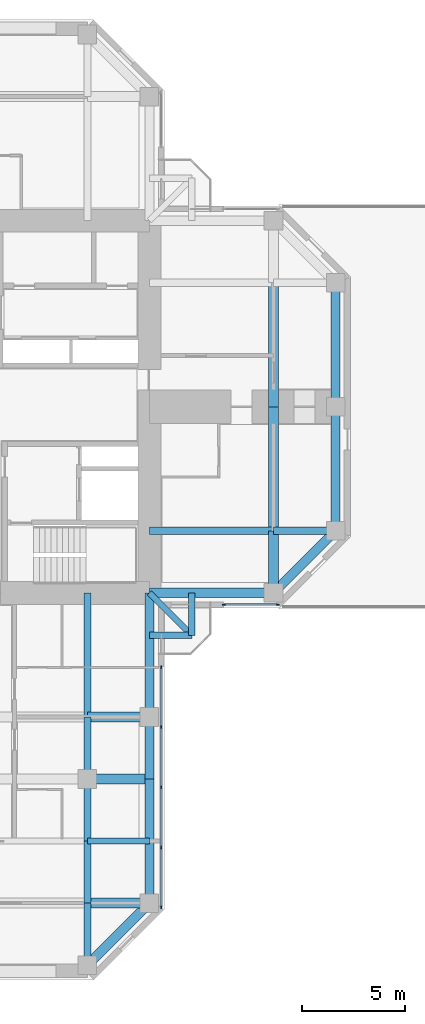
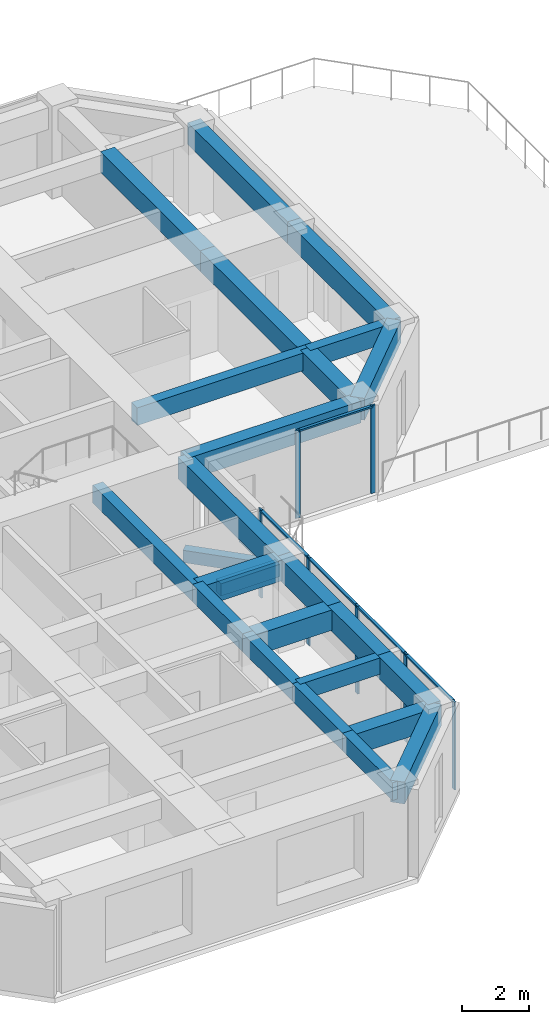
# One storey, part 4 of 14: 26 beams, 12 members, 2 elements without a shape of their own.
"""IFC4 building model written with IfcOpenShell, lengths in metres."""

from ifc_helpers import new_model, si_unit, direction, frame, origin, origin_2d, place, context, subcontext, project, spatial, rectangle, extrude, material, material_profile, profile_set, type_object, element, aggregate, save


model = new_model("IFC4")

# Units and contexts
model_context = context("Model", 3, precision=1e-05, world=origin(), true_north=direction((0.0, 1.0)))
body_context = subcontext(model_context, "Body", "Model", "MODEL_VIEW")
ifc_project = project(units=[si_unit("LENGTHUNIT", "METRE"), si_unit("AREAUNIT", "SQUARE_METRE"), si_unit("VOLUMEUNIT", "CUBIC_METRE"), si_unit("PLANEANGLEUNIT", "RADIAN"), si_unit("MASSUNIT", "GRAM", prefix="KILO")], contexts=[model_context])

# Site, building, storey
site_placement = place(None, origin())
site = spatial("IfcSite", under=ifc_project, at=site_placement, CompositionType="ELEMENT")
building_placement = place(site_placement, origin())
building = spatial("IfcBuilding", under=site, at=building_placement, Name="Torre Cruceta", CompositionType="ELEMENT")
storey_placement = place(building_placement, frame((0.0, 0.0, 169.5)))
storey = spatial("IfcBuildingStorey", under=building, at=storey_placement, Name="L41", CompositionType="ELEMENT", Elevation=169.5)

# Beams
ifc_material_1 = material(Name="Concrete G60 (fck 60 MPa)", Category="concrete")
ifc_material_profile_1 = material_profile(ifc_material_1, rectangle(XDim=0.300048828125, YDim=0.449951171875, at=origin_2d()), Name="RC 300X450")
ifc_profile_set_1 = profile_set([ifc_material_profile_1], Name="Concrete G60 (fck 60 MPa)")
beam_type_1 = type_object("IfcBeamType", Name="BALCONY CANTILEVER BEAM RC 300X450", PredefinedType="BEAM", material=ifc_profile_set_1)
beam_1_placement = place(storey_placement, frame((9.0, -9.0, -0.405029296875), z_axis=(0.707106781187, -0.707106781187, 0.0), x_axis=(0.707106781187, 0.707106781187, 0.0)))
element("IfcBeam", 1, at=beam_1_placement, inside=storey, type_object=beam_type_1, Name="BB1 balcony beam L41 S", PredefinedType="BEAM", context=body_context, shape_type="SweptSolid", body=[
    extrude(rectangle(XDim=0.300048828125, YDim=0.449951171875, at=origin_2d()), origin(), (0.0, 0.0, 1.0), 2.89990234375),
])
for number, where, z_axis, x_axis, name in (
    (2, (11.050537109375, -9.0, -0.405029296875), (0.0, -1.0, 0.0), (1.0, 0.0, 0.0), "BB1 balcony edge beam L41 S-X"),
    (3, (9.0, -11.050537109375, -0.405029296875), (1.0, 0.0, 0.0), (0.0, 1.0, 0.0), "BB1 balcony edge beam L41 S-Y"),
):
    element("IfcBeam", number, at=place(storey_placement, frame(where, z_axis=z_axis, x_axis=x_axis)), inside=storey, type_object=beam_type_1, Name=name, PredefinedType="BEAM", context=body_context, shape_type="SweptSolid", body=[
        extrude(rectangle(XDim=0.300048828125, YDim=0.449951171875, at=origin_2d()), origin(), (0.0, 0.0, 1.0), 2.050537109375),
    ])
ifc_material_2 = material(Name="Concrete G60 (fck 60 MPa)", Category="concrete")
ifc_material_profile_2 = material_profile(ifc_material_2, rectangle(XDim=0.35009765625, YDim=0.64990234375, at=origin_2d()), Name="RC 350X650")
ifc_profile_set_2 = profile_set([ifc_material_profile_2], Name="Concrete G60 (fck 60 MPa)")
beam_type_2 = type_object("IfcBeamType", Name="COLUMN LINE BEAM RC 350X650", PredefinedType="BEAM", material=ifc_profile_set_2)
beam_2_placement = place(storey_placement, frame((9.0, -6.0, 2.89501953125), z_axis=(1.0, 0.0, 0.0), x_axis=(0.0, 1.0, 0.0)))
element("IfcBeam", 4, at=beam_2_placement, inside=storey, type_object=beam_type_2, Name="LB7 L41 E col- 1", PredefinedType="BEAM", context=body_context, shape_type="SweptSolid", body=[
    extrude(rectangle(XDim=0.35009765625, YDim=0.64990234375, at=origin_2d()), origin(), (0.0, 0.0, 1.0), 6.0),
])
beam_3_placement = place(storey_placement, frame((15.0, -6.0, 2.89501953125), z_axis=(1.0, 0.0, 0.0), x_axis=(0.0, 1.0, 0.0)))
element("IfcBeam", 5, at=beam_3_placement, inside=storey, type_object=beam_type_2, Name="LB7 L41 E col- 2", PredefinedType="BEAM", context=body_context, shape_type="SweptSolid", body=[
    extrude(rectangle(XDim=0.35009765625, YDim=0.64990234375, at=origin_2d()), origin(), (0.0, 0.0, 1.0), 3.0),
])
beam_4_placement = place(storey_placement, frame((6.0, -9.0, 2.89501953125), z_axis=(0.0, -1.0, 0.0), x_axis=(1.0, 0.0, 0.0)))
element("IfcBeam", 6, at=beam_4_placement, inside=storey, type_object=beam_type_2, Name="LB7 L41 S col+ 1", PredefinedType="BEAM", context=body_context, shape_type="SweptSolid", body=[
    extrude(rectangle(XDim=0.35009765625, YDim=0.64990234375, at=origin_2d()), origin(), (0.0, 0.0, 1.0), 6.0),
])
for number, where, z_axis, x_axis, name in (
    (7, (6.0, -15.0, 2.89501953125), (0.0, -1.0, 0.0), (1.0, 0.0, 0.0), "LB7 L41 S col+ 2"),
    (8, (6.0, -18.0, 2.89501953125), (0.0, -1.0, 0.0), (1.0, 0.0, 0.0), "LB7 L41 S col+ 3"),
    (9, (6.0, -21.0, 2.89501953125), (0.0, -1.0, 0.0), (1.0, 0.0, 0.0), "LB7 L41 S col+ 4"),
    (10, (6.0, -24.0, 2.89501953125), (0.0, -1.0, 0.0), (1.0, 0.0, 0.0), "LB7 L41 S col+ 5"),
):
    element("IfcBeam", number, at=place(storey_placement, frame(where, z_axis=z_axis, x_axis=x_axis)), inside=storey, type_object=beam_type_2, Name=name, PredefinedType="BEAM", context=body_context, shape_type="SweptSolid", body=[
        extrude(rectangle(XDim=0.35009765625, YDim=0.64990234375, at=origin_2d()), origin(), (0.0, 0.0, 1.0), 3.0),
    ])
ifc_material_3 = material(Name="Concrete G60 (fck 60 MPa)", Category="concrete")
ifc_material_profile_3 = material_profile(ifc_material_3, rectangle(XDim=0.5, YDim=0.75, at=origin_2d()), Name="RC 500X750")
ifc_profile_set_3 = profile_set([ifc_material_profile_3], Name="Concrete G60 (fck 60 MPa)")
beam_type_3 = type_object("IfcBeamType", Name="CROSS BEAM RC 500X750", PredefinedType="BEAM", material=ifc_profile_set_3)
beam_5_placement = place(storey_placement, frame((15.0, -9.0, 2.844970703125), z_axis=(0.0, 1.0, 0.0), x_axis=(-1.0, 0.0, 0.0)))
element("IfcBeam", 11, at=beam_5_placement, inside=storey, type_object=beam_type_3, Name="GB6 L41 E cross15 1", PredefinedType="BEAM", context=body_context, shape_type="SweptSolid", body=[
    extrude(rectangle(XDim=0.5, YDim=0.75, at=origin_2d()), origin(), (0.0, 0.0, 1.0), 3.0),
])
for number, where, z_axis, x_axis, name in (
    (12, (15.0, -6.0, 2.844970703125), (0.0, 1.0, 0.0), (-1.0, 0.0, 0.0), "GB6 L41 E cross15 2"),
    (13, (15.0, 0.0, 2.844970703125), (0.0, 1.0, 0.0), (-1.0, 0.0, 0.0), "GB6 L41 E cross15 3"),
):
    element("IfcBeam", number, at=place(storey_placement, frame(where, z_axis=z_axis, x_axis=x_axis)), inside=storey, type_object=beam_type_3, Name=name, PredefinedType="BEAM", context=body_context, shape_type="SweptSolid", body=[
        extrude(rectangle(XDim=0.5, YDim=0.75, at=origin_2d()), origin(), (0.0, 0.0, 1.0), 6.0),
    ])
for number, where, z_axis, x_axis, name in (
    (14, (6.0, -15.0, 2.844970703125), (1.0, 0.0, 0.0), (0.0, 1.0, 0.0), "GB6 L41 S cross15 4"),
    (15, (6.0, -18.0, 2.844970703125), (1.0, 0.0, 0.0), (0.0, 1.0, 0.0), "GB6 L41 S cross18 4"),
    (16, (6.0, -24.0, 2.844970703125), (1.0, 0.0, 0.0), (0.0, 1.0, 0.0), "GB6 L41 S cross24 4"),
):
    element("IfcBeam", number, at=place(storey_placement, frame(where, z_axis=z_axis, x_axis=x_axis)), inside=storey, type_object=beam_type_3, Name=name, PredefinedType="BEAM", context=body_context, shape_type="SweptSolid", body=[
        extrude(rectangle(XDim=0.5, YDim=0.75, at=origin_2d()), origin(), (0.0, 0.0, 1.0), 3.0),
    ])

# Curtain wall, members
ifc_material_4 = material(Name="Aluminium unitised curtain wall", Category="aluminium")
curtain_wall_type = type_object("IfcCurtainWallType", Name="CURTAIN WALL CW-C CO-LIVING", PredefinedType="USERDEFINED", material=ifc_material_4)
curtain_wall_1_placement = place(storey_placement, origin())
curtain_wall_1 = element("IfcCurtainWall", 17, at=curtain_wall_1_placement, inside=storey, type_object=curtain_wall_type, Name="CW-C L41 E side 00", ObjectType="UNITISED", PredefinedType="USERDEFINED")
ifc_material_5 = material(Name="Aluminium mullion", Category="aluminium")
ifc_material_profile_4 = material_profile(ifc_material_5, rectangle(XDim=0.06005859375, YDim=0.159912109375, at=origin_2d()), Name="AL 60X160")
ifc_profile_set_4 = profile_set([ifc_material_profile_4], Name="Aluminium mullion")
member_type_1 = type_object("IfcMemberType", Name="CW-C MULLION 60X160", PredefinedType="MULLION", material=ifc_profile_set_4)
member_1_placement = place(storey_placement, frame((12.60009765625, -9.570068359375, 0.0), z_axis=(0.0, 0.0, 1.0), x_axis=(0.0, 1.0, 0.0)))
member_1 = element("IfcMember", 18, at=member_1_placement, type_object=member_type_1, Name="CW-C mullion 1", PredefinedType="MULLION", context=body_context, shape_type="SweptSolid", body=[
    extrude(rectangle(XDim=0.06005859375, YDim=0.159912109375, at=origin_2d()), origin(), (0.0, 0.0, 1.0), 3.219970703125),
])
member_2_placement = place(storey_placement, frame((15.2060546875, -9.570068359375, 0.0), z_axis=(0.0, 0.0, 1.0), x_axis=(0.0, 1.0, 0.0)))
member_2 = element("IfcMember", 19, at=member_2_placement, type_object=member_type_1, Name="CW-C mullion 2", PredefinedType="MULLION", context=body_context, shape_type="SweptSolid", body=[
    extrude(rectangle(XDim=0.06005859375, YDim=0.159912109375, at=origin_2d()), origin(), (0.0, 0.0, 1.0), 3.219970703125),
])

curtain_wall_2_placement = place(storey_placement, origin())
curtain_wall_2 = element("IfcCurtainWall", 20, at=curtain_wall_2_placement, inside=storey, type_object=curtain_wall_type, Name="CW-C L41 S side 19", ObjectType="UNITISED", PredefinedType="USERDEFINED")
member_3_placement = place(storey_placement, frame((9.570068359375, -24.2060546875, 0.0), z_axis=(0.0, 0.0, 1.0), x_axis=(-1.0, 0.0, 0.0)))
member_3 = element("IfcMember", 21, at=member_3_placement, type_object=member_type_1, Name="CW-C mullion 1", PredefinedType="MULLION", context=body_context, shape_type="SweptSolid", body=[
    extrude(rectangle(XDim=0.06005859375, YDim=0.159912109375, at=origin_2d()), origin(), (0.0, 0.0, 1.0), 3.219970703125),
])
member_4_placement = place(storey_placement, frame((9.570068359375, -21.319580078125, 0.0), z_axis=(0.0, 0.0, 1.0), x_axis=(-1.0, 0.0, 0.0)))
member_4 = element("IfcMember", 22, at=member_4_placement, type_object=member_type_1, Name="CW-C mullion 2", PredefinedType="MULLION", context=body_context, shape_type="SweptSolid", body=[
    extrude(rectangle(XDim=0.06005859375, YDim=0.159912109375, at=origin_2d()), origin(), (0.0, 0.0, 1.0), 3.219970703125),
])
member_5_placement = place(storey_placement, frame((9.570068359375, -18.403076171875, 0.0), z_axis=(0.0, 0.0, 1.0), x_axis=(-1.0, 0.0, 0.0)))
member_5 = element("IfcMember", 23, at=member_5_placement, type_object=member_type_1, Name="CW-C mullion 3", PredefinedType="MULLION", context=body_context, shape_type="SweptSolid", body=[
    extrude(rectangle(XDim=0.06005859375, YDim=0.159912109375, at=origin_2d()), origin(), (0.0, 0.0, 1.0), 3.219970703125),
])
member_6_placement = place(storey_placement, frame((9.570068359375, -15.486572265625, 0.0), z_axis=(0.0, 0.0, 1.0), x_axis=(-1.0, 0.0, 0.0)))
member_6 = element("IfcMember", 24, at=member_6_placement, type_object=member_type_1, Name="CW-C mullion 4", PredefinedType="MULLION", context=body_context, shape_type="SweptSolid", body=[
    extrude(rectangle(XDim=0.06005859375, YDim=0.159912109375, at=origin_2d()), origin(), (0.0, 0.0, 1.0), 3.219970703125),
])
member_7_placement = place(storey_placement, frame((9.570068359375, -12.60009765625, 0.0), z_axis=(0.0, 0.0, 1.0), x_axis=(-1.0, 0.0, 0.0)))
member_7 = element("IfcMember", 25, at=member_7_placement, type_object=member_type_1, Name="CW-C mullion 5", PredefinedType="MULLION", context=body_context, shape_type="SweptSolid", body=[
    extrude(rectangle(XDim=0.06005859375, YDim=0.159912109375, at=origin_2d()), origin(), (0.0, 0.0, 1.0), 3.219970703125),
])

# Member
ifc_material_6 = material(Name="Aluminium transom", Category="aluminium")
ifc_material_profile_5 = material_profile(ifc_material_6, rectangle(XDim=0.10009765625, YDim=0.06005859375, at=origin_2d()), Name="AL 100X60")
ifc_profile_set_5 = profile_set([ifc_material_profile_5], Name="Aluminium transom")
member_type_2 = type_object("IfcMemberType", Name="CW-C TRANSOM 60X100", PredefinedType="USERDEFINED", material=ifc_profile_set_5)
member_8_placement = place(storey_placement, frame((12.6298828125, -9.570068359375, 3.18994140625), z_axis=(1.0, 0.0, 0.0), x_axis=(0.0, 1.0, 0.0)))
member_8 = element("IfcMember", 26, at=member_8_placement, type_object=member_type_2, Name="CW-C transom 1", ObjectType="TRANSOM", PredefinedType="USERDEFINED", context=body_context, shape_type="SweptSolid", body=[
    extrude(rectangle(XDim=0.10009765625, YDim=0.06005859375, at=origin_2d()), origin(), (0.0, 0.0, 1.0), 2.546142578125),
])

aggregate(curtain_wall_1, [member_1, member_2, member_8])

member_9_placement = place(storey_placement, frame((9.570068359375, -24.176025390625, 3.18994140625), z_axis=(0.0, 1.0, 0.0), x_axis=(-1.0, 0.0, 0.0)))
member_9 = element("IfcMember", 27, at=member_9_placement, type_object=member_type_2, Name="CW-C transom 1", ObjectType="TRANSOM", PredefinedType="USERDEFINED", context=body_context, shape_type="SweptSolid", body=[
    extrude(rectangle(XDim=0.10009765625, YDim=0.06005859375, at=origin_2d()), origin(), (0.0, 0.0, 1.0), 2.826416015625),
])

member_10_placement = place(storey_placement, frame((9.570068359375, -21.28955078125, 3.18994140625), z_axis=(0.0, 1.0, 0.0), x_axis=(-1.0, 0.0, 0.0)))
member_10 = element("IfcMember", 28, at=member_10_placement, type_object=member_type_2, Name="CW-C transom 2", ObjectType="TRANSOM", PredefinedType="USERDEFINED", context=body_context, shape_type="SweptSolid", body=[
    extrude(rectangle(XDim=0.10009765625, YDim=0.06005859375, at=origin_2d()), origin(), (0.0, 0.0, 1.0), 2.8564453125),
])

member_11_placement = place(storey_placement, frame((9.570068359375, -18.373046875, 3.18994140625), z_axis=(0.0, 1.0, 0.0), x_axis=(-1.0, 0.0, 0.0)))
member_11 = element("IfcMember", 29, at=member_11_placement, type_object=member_type_2, Name="CW-C transom 3", ObjectType="TRANSOM", PredefinedType="USERDEFINED", context=body_context, shape_type="SweptSolid", body=[
    extrude(rectangle(XDim=0.10009765625, YDim=0.06005859375, at=origin_2d()), origin(), (0.0, 0.0, 1.0), 2.8564453125),
])

member_12_placement = place(storey_placement, frame((9.570068359375, -15.45654296875, 3.18994140625), z_axis=(0.0, 1.0, 0.0), x_axis=(-1.0, 0.0, 0.0)))
member_12 = element("IfcMember", 30, at=member_12_placement, type_object=member_type_2, Name="CW-C transom 4", ObjectType="TRANSOM", PredefinedType="USERDEFINED", context=body_context, shape_type="SweptSolid", body=[
    extrude(rectangle(XDim=0.10009765625, YDim=0.06005859375, at=origin_2d()), origin(), (0.0, 0.0, 1.0), 2.82666015625),
])

aggregate(curtain_wall_2, [member_3, member_4, member_5, member_6, member_7, member_9, member_10, member_11, member_12])

# Beams
ifc_material_7 = material(Name="Concrete G60 (fck 60 MPa)", Category="concrete")
ifc_material_profile_6 = material_profile(ifc_material_7, rectangle(XDim=0.300048828125, YDim=0.60009765625, at=origin_2d()), Name="RC 300X600")
ifc_profile_set_6 = profile_set([ifc_material_profile_6], Name="Concrete G60 (fck 60 MPa)")
beam_type_4 = type_object("IfcBeamType", Name="SECONDARY BEAM RC 300X600", PredefinedType="JOIST", material=ifc_profile_set_6)
beam_6_placement = place(storey_placement, frame((6.0, -21.0, 2.919921875), z_axis=(1.0, 0.0, 0.0), x_axis=(0.0, 1.0, 0.0)))
element("IfcBeam", 31, at=beam_6_placement, inside=storey, type_object=beam_type_4, Name="JB6 L41 S sec21 4", PredefinedType="JOIST", context=body_context, shape_type="SweptSolid", body=[
    extrude(rectangle(XDim=0.300048828125, YDim=0.60009765625, at=origin_2d()), origin(), (0.0, 0.0, 1.0), 3.0),
])
ifc_material_8 = material(Name="Concrete G60 (fck 60 MPa)", Category="concrete")
ifc_material_profile_7 = material_profile(ifc_material_8, rectangle(XDim=0.449951171875, YDim=0.800048828125, at=origin_2d()), Name="RC 450X800")
ifc_profile_set_7 = profile_set([ifc_material_profile_7], Name="Concrete G60 (fck 60 MPa)")
beam_type_5 = type_object("IfcBeamType", Name="SPANDREL BEAM RC 450X800", PredefinedType="SPANDREL", material=ifc_profile_set_7)
beam_7_placement = place(storey_placement, frame((9.0, -9.0, 2.820068359375), z_axis=(1.0, 0.0, 0.0), x_axis=(0.0, 1.0, 0.0)))
element("IfcBeam", 32, at=beam_7_placement, inside=storey, type_object=beam_type_5, Name="SB6 L41 E side- 1", PredefinedType="SPANDREL", context=body_context, shape_type="SweptSolid", body=[
    extrude(rectangle(XDim=0.449951171875, YDim=0.800048828125, at=origin_2d()), origin(), (0.0, 0.0, 1.0), 6.0),
])
beam_8_placement = place(storey_placement, frame((15.0, -9.0, 2.820068359375), z_axis=(0.707106781187, 0.707106781187, 0.0), x_axis=(-0.707106781187, 0.707106781187, 0.0)))
element("IfcBeam", 33, at=beam_8_placement, inside=storey, type_object=beam_type_5, Name="SB6 L41 E side- 2", PredefinedType="SPANDREL", context=body_context, shape_type="SweptSolid", body=[
    extrude(rectangle(XDim=0.449951171875, YDim=0.800048828125, at=origin_2d()), origin(), (0.0, 0.0, 1.0), 4.24267578125),
])
for number, where, z_axis, x_axis, name in (
    (34, (18.0, -6.0, 2.820068359375), (0.0, 1.0, 0.0), (-1.0, 0.0, 0.0), "SB6 L41 E tip 1"),
    (35, (18.0, 0.0, 2.820068359375), (0.0, 1.0, 0.0), (-1.0, 0.0, 0.0), "SB6 L41 E tip 2"),
    (36, (9.0, -9.0, 2.820068359375), (0.0, -1.0, 0.0), (1.0, 0.0, 0.0), "SB6 L41 S side+ 1"),
):
    element("IfcBeam", number, at=place(storey_placement, frame(where, z_axis=z_axis, x_axis=x_axis)), inside=storey, type_object=beam_type_5, Name=name, PredefinedType="SPANDREL", context=body_context, shape_type="SweptSolid", body=[
        extrude(rectangle(XDim=0.449951171875, YDim=0.800048828125, at=origin_2d()), origin(), (0.0, 0.0, 1.0), 6.0),
    ])
for number, where, z_axis, x_axis, name in (
    (37, (9.0, -15.0, 2.820068359375), (0.0, -1.0, 0.0), (1.0, 0.0, 0.0), "SB6 L41 S side+ 2"),
    (38, (9.0, -18.0, 2.820068359375), (0.0, -1.0, 0.0), (1.0, 0.0, 0.0), "SB6 L41 S side+ 3"),
    (39, (9.0, -21.0, 2.820068359375), (0.0, -1.0, 0.0), (1.0, 0.0, 0.0), "SB6 L41 S side+ 4"),
):
    element("IfcBeam", number, at=place(storey_placement, frame(where, z_axis=z_axis, x_axis=x_axis)), inside=storey, type_object=beam_type_5, Name=name, PredefinedType="SPANDREL", context=body_context, shape_type="SweptSolid", body=[
        extrude(rectangle(XDim=0.449951171875, YDim=0.800048828125, at=origin_2d()), origin(), (0.0, 0.0, 1.0), 3.0),
    ])
beam_9_placement = place(storey_placement, frame((9.0, -24.0, 2.820068359375), z_axis=(-0.707106781187, -0.707106781187, 0.0), x_axis=(0.707106781187, -0.707106781187, 0.0)))
element("IfcBeam", 40, at=beam_9_placement, inside=storey, type_object=beam_type_5, Name="SB6 L41 S side+ 5", PredefinedType="SPANDREL", context=body_context, shape_type="SweptSolid", body=[
    extrude(rectangle(XDim=0.449951171875, YDim=0.800048828125, at=origin_2d()), origin(), (0.0, 0.0, 1.0), 4.24267578125),
])

save(model, "model.ifc")
